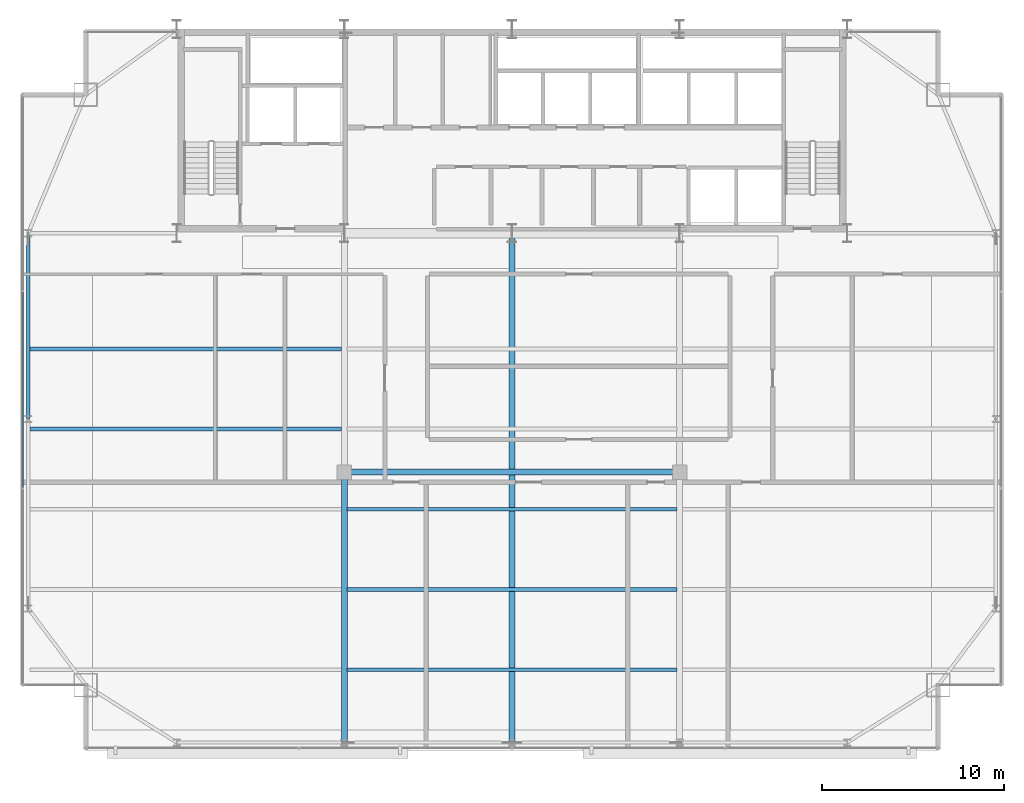
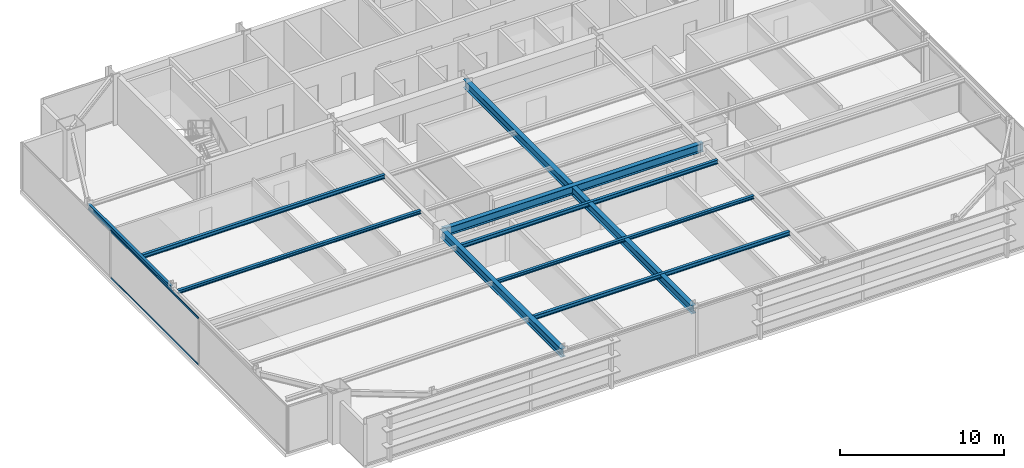
# One storey, part 10 of 29: 9 beams, 2 members, 1 element without a shape of its own.
"""IFC4 building model written with IfcOpenShell, lengths in metres."""

from ifc_helpers import new_model, si_unit, direction, frame, origin, origin_2d, place, context, subcontext, project, spatial, hollow_rectangle, i_section, extrude, source, transform, mapped, material, layer, layer_set, material_profile, profile_set, type_object, type_shapes, element, aggregate, save


model = new_model("IFC4")

# Units and contexts
model_context = context("Model", 3, precision=1e-05, world=origin(), true_north=direction((0.0, 1.0)))
body_context = subcontext(model_context, "Body", "Model", "MODEL_VIEW")
ifc_project = project(units=[si_unit("LENGTHUNIT", "METRE"), si_unit("AREAUNIT", "SQUARE_METRE"), si_unit("VOLUMEUNIT", "CUBIC_METRE"), si_unit("PLANEANGLEUNIT", "RADIAN"), si_unit("MASSUNIT", "GRAM", prefix="KILO")], contexts=[model_context])

# Site, building, storey
site_placement = place(None, origin())
site = spatial("IfcSite", under=ifc_project, at=site_placement, CompositionType="ELEMENT")
building_placement = place(site_placement, origin())
building = spatial("IfcBuilding", under=site, at=building_placement, Name="Varnel Quay Broadcast Tower", CompositionType="ELEMENT")
storey_placement = place(building_placement, frame((0.0, 0.0, 187.60009765625)))
storey = spatial("IfcBuildingStorey", under=building, at=storey_placement, Name="L46", CompositionType="ELEMENT", Elevation=187.60009765625)

# Beams
ifc_material_1 = material(Name="Structural Steel CSA G40.21 350W", Category="steel")
ifc_material_profile_1 = material_profile(ifc_material_1, i_section(OverallWidth=0.180908203125, OverallDepth=0.4169921875, WebThickness=0.010986328125, FlangeThickness=0.018310546875, FilletRadius=0.011962890625, at=origin_2d()), Name="W410X85")
ifc_profile_set_1 = profile_set([ifc_material_profile_1], Name="Structural Steel CSA G40.21 350W")
beam_type_1 = type_object("IfcBeamType", Name="Beam_W410X85", PredefinedType="SPANDREL", material=ifc_profile_set_1)
shared_shape_1 = source(origin(), body_context, "Body", "SweptSolid", [
    extrude(i_section(OverallWidth=0.180908203125, OverallDepth=0.4169921875, WebThickness=0.010986328125, FlangeThickness=0.018310546875, FilletRadius=0.011962890625, at=origin_2d()), origin(), (0.0, 0.0, 1.0), 10.16015625),
])
type_shapes(beam_type_1, [shared_shape_1])
beam_1_placement = place(storey_placement, frame((7.449951171875, 25.419921875, 3.3115234375), z_axis=(0.0, 1.0, 0.0), x_axis=(-1.0, 0.0, 0.0)))
element("IfcBeam", 1, at=beam_1_placement, inside=storey, type_object=beam_type_1, Name="L46 West Spandrel TC-W2-TC-W3", PredefinedType="SPANDREL", context=body_context, shape_type="MappedRepresentation", body=[
    mapped(shared_shape_1, transform((0.0, 0.0, 0.0), x_axis=(1.0, 0.0, 0.0), y_axis=(0.0, 1.0, 0.0), z_axis=(0.0, 0.0, 1.0), scale=1.0)),
])
ifc_material_profile_2 = material_profile(ifc_material_1, i_section(OverallWidth=0.324951171875, OverallDepth=0.615966796875, WebThickness=0.013916015625, FlangeThickness=0.021484375, FilletRadius=0.01611328125, at=origin_2d()), Name="W610X174")
ifc_profile_set_2 = profile_set([ifc_material_profile_2], Name="Structural Steel CSA G40.21 350W")
beam_type_2 = type_object("IfcBeamType", Name="Girder_W610X174", PredefinedType="BEAM", material=ifc_profile_set_2)
shared_shape_2 = source(origin(), body_context, "Body", "SweptSolid", [
    extrude(i_section(OverallWidth=0.324951171875, OverallDepth=0.615966796875, WebThickness=0.013916015625, FlangeThickness=0.021484375, FilletRadius=0.01611328125, at=origin_2d()), origin(), (0.0, 0.0, 1.0), 14.800048828125),
])
beam_2_placement = place(storey_placement, frame((24.800048828125, 7.669921875, 3.2119140625), z_axis=(0.0, 1.0, 0.0), x_axis=(-1.0, 0.0, 0.0)))
element("IfcBeam", 2, at=beam_2_placement, inside=storey, type_object=beam_type_2, Name="L46 Primary Girder TC-S2-IC-01", PredefinedType="BEAM", context=body_context, shape_type="MappedRepresentation", body=[
    mapped(shared_shape_2, transform((0.0, 0.0, 0.0), x_axis=(1.0, 0.0, 0.0), y_axis=(0.0, 1.0, 0.0), z_axis=(0.0, 0.0, 1.0), scale=1.0)),
])
shared_shape_3 = source(origin(), body_context, "Body", "SweptSolid", [
    extrude(i_section(OverallWidth=0.324951171875, OverallDepth=0.615966796875, WebThickness=0.013916015625, FlangeThickness=0.021484375, FilletRadius=0.01611328125, at=origin_2d()), origin(), (0.0, 0.0, 1.0), 18.35986328125),
])
beam_3_placement = place(storey_placement, frame((24.820068359375, 22.489990234375, 3.2119140625), z_axis=(1.0, 0.0, 0.0), x_axis=(0.0, 1.0, 0.0)))
element("IfcBeam", 3, at=beam_3_placement, inside=storey, type_object=beam_type_2, Name="L46 Interior Spine Girder", PredefinedType="BEAM", context=body_context, shape_type="MappedRepresentation", body=[
    mapped(shared_shape_3, transform((0.0, 0.0, 0.0), x_axis=(1.0, 0.0, 0.0), y_axis=(0.0, 1.0, 0.0), z_axis=(0.0, 0.0, 1.0), scale=1.0)),
])
shared_shape_4 = source(origin(), body_context, "Body", "SweptSolid", [
    extrude(i_section(OverallWidth=0.324951171875, OverallDepth=0.615966796875, WebThickness=0.013916015625, FlangeThickness=0.021484375, FilletRadius=0.01611328125, at=origin_2d()), origin(), (0.0, 0.0, 1.0), 27.91015625),
])
type_shapes(beam_type_2, [shared_shape_2, shared_shape_3, shared_shape_4])
beam_4_placement = place(storey_placement, frame((34.0, 7.669921875, 3.2119140625), z_axis=(0.0, 1.0, 0.0), x_axis=(-1.0, 0.0, 0.0)))
element("IfcBeam", 4, at=beam_4_placement, inside=storey, type_object=beam_type_2, Name="L46 Central Bay Girder", PredefinedType="BEAM", context=body_context, shape_type="MappedRepresentation", body=[
    mapped(shared_shape_4, transform((0.0, 0.0, 0.0), x_axis=(1.0, 0.0, 0.0), y_axis=(0.0, 1.0, 0.0), z_axis=(0.0, 0.0, 1.0), scale=1.0)),
])
ifc_material_profile_3 = material_profile(ifc_material_1, i_section(OverallWidth=0.202880859375, OverallDepth=0.302978515625, WebThickness=0.007568359375, FlangeThickness=0.01318359375, FilletRadius=0.011962890625, at=origin_2d()), Name="W310X60")
ifc_profile_set_3 = profile_set([ifc_material_profile_3], Name="Structural Steel CSA G40.21 350W")
beam_type_3 = type_object("IfcBeamType", Name="Beam_W310X60", PredefinedType="JOIST", material=ifc_profile_set_3)
shared_shape_5 = source(origin(), body_context, "Body", "SweptSolid", [
    extrude(i_section(OverallWidth=0.202880859375, OverallDepth=0.302978515625, WebThickness=0.007568359375, FlangeThickness=0.01318359375, FilletRadius=0.011962890625, at=origin_2d()), origin(), (0.0, 0.0, 1.0), 17.107177734375),
])
beam_5_placement = place(storey_placement, frame((7.535400390625, 29.25, 3.368408203125), z_axis=(1.0, 0.0, 0.0), x_axis=(0.0, 1.0, 0.0)))
element("IfcBeam", 5, at=beam_5_placement, inside=storey, type_object=beam_type_3, Name="L46 West Floor Joist 5", PredefinedType="JOIST", context=body_context, shape_type="MappedRepresentation", body=[
    mapped(shared_shape_5, transform((0.0, 0.0, 0.0), x_axis=(1.0, 0.0, 0.0), y_axis=(0.0, 1.0, 0.0), z_axis=(0.0, 0.0, 1.0), scale=1.0)),
])
shared_shape_6 = source(origin(), body_context, "Body", "SweptSolid", [
    extrude(i_section(OverallWidth=0.202880859375, OverallDepth=0.302978515625, WebThickness=0.007568359375, FlangeThickness=0.01318359375, FilletRadius=0.011962890625, at=origin_2d()), origin(), (0.0, 0.0, 1.0), 18.0849609375),
])
type_shapes(beam_type_3, [shared_shape_5, shared_shape_6])
for number, where, z_axis, x_axis, name in (
    (6, (24.95751953125, 11.64990234375, 3.368408203125), (1.0, 0.0, 0.0), (0.0, 1.0, 0.0), "L46 Central Floor Joist 1"),
    (7, (24.95751953125, 20.449951171875, 3.368408203125), (1.0, 0.0, 0.0), (0.0, 1.0, 0.0), "L46 Central Floor Joist 3"),
):
    element("IfcBeam", number, at=place(storey_placement, frame(where, z_axis=z_axis, x_axis=x_axis)), inside=storey, type_object=beam_type_3, Name=name, PredefinedType="JOIST", context=body_context, shape_type="MappedRepresentation", body=[
        mapped(shared_shape_6, transform((0.0, 0.0, 0.0), x_axis=(1.0, 0.0, 0.0), y_axis=(0.0, 1.0, 0.0), z_axis=(0.0, 0.0, 1.0), scale=1.0)),
    ])
ifc_material_profile_4 = material_profile(ifc_material_1, i_section(OverallWidth=0.201904296875, OverallDepth=0.2470703125, WebThickness=0.00732421875, FlangeThickness=0.010986328125, FilletRadius=0.010986328125, at=origin_2d()), Name="W250X49")
ifc_profile_set_4 = profile_set([ifc_material_profile_4], Name="Structural Steel CSA G40.21 350W")
beam_type_4 = type_object("IfcBeamType", Name="Beam_W250X49", PredefinedType="JOIST", material=ifc_profile_set_4)
shared_shape_7 = source(origin(), body_context, "Body", "SweptSolid", [
    extrude(i_section(OverallWidth=0.201904296875, OverallDepth=0.2470703125, WebThickness=0.00732421875, FlangeThickness=0.010986328125, FilletRadius=0.010986328125, at=origin_2d()), origin(), (0.0, 0.0, 1.0), 17.107177734375),
])
beam_6_placement = place(storey_placement, frame((7.535400390625, 24.85009765625, 3.396484375), z_axis=(1.0, 0.0, 0.0), x_axis=(0.0, 1.0, 0.0)))
element("IfcBeam", 8, at=beam_6_placement, inside=storey, type_object=beam_type_4, Name="L46 West Floor Joist 4", PredefinedType="JOIST", context=body_context, shape_type="MappedRepresentation", body=[
    mapped(shared_shape_7, transform((0.0, 0.0, 0.0), x_axis=(1.0, 0.0, 0.0), y_axis=(0.0, 1.0, 0.0), z_axis=(0.0, 0.0, 1.0), scale=1.0)),
])
shared_shape_8 = source(origin(), body_context, "Body", "SweptSolid", [
    extrude(i_section(OverallWidth=0.201904296875, OverallDepth=0.2470703125, WebThickness=0.00732421875, FlangeThickness=0.010986328125, FilletRadius=0.010986328125, at=origin_2d()), origin(), (0.0, 0.0, 1.0), 18.0849609375),
])
type_shapes(beam_type_4, [shared_shape_7, shared_shape_8])
beam_7_placement = place(storey_placement, frame((24.95751953125, 16.050048828125, 3.396484375), z_axis=(1.0, 0.0, 0.0), x_axis=(0.0, 1.0, 0.0)))
element("IfcBeam", 9, at=beam_7_placement, inside=storey, type_object=beam_type_4, Name="L46 Central Floor Joist 2", PredefinedType="JOIST", context=body_context, shape_type="MappedRepresentation", body=[
    mapped(shared_shape_8, transform((0.0, 0.0, 0.0), x_axis=(1.0, 0.0, 0.0), y_axis=(0.0, 1.0, 0.0), z_axis=(0.0, 0.0, 1.0), scale=1.0)),
])

# Curtain wall, members
ifc_material_2 = material(Name="Anodised Bronze Aluminium 6063-T6", Category="aluminium")
ifc_layer = layer(ifc_material_2, 0.18994140625, Name="Anodised Bronze Aluminium 6063-T6")
ifc_layer_set = layer_set([ifc_layer], Name="Anodised Bronze Aluminium 6063-T6")
curtain_wall_type = type_object("IfcCurtainWallType", Name="CW_UpperTower", PredefinedType="NOTDEFINED", material=ifc_layer_set)
curtain_wall_placement = place(storey_placement, origin())
curtain_wall = element("IfcCurtainWall", 10, at=curtain_wall_placement, inside=storey, type_object=curtain_wall_type, Name="L46 West Unitised Curtain Wall", PredefinedType="NOTDEFINED")
ifc_material_profile_5 = material_profile(ifc_material_2, hollow_rectangle(XDim=0.06005859375, YDim=0.125, WallThickness=0.0029296875, at=origin_2d()), Name="ALU60X125X3")
ifc_profile_set_5 = profile_set([ifc_material_profile_5], Name="Anodised Bronze Aluminium 6063-T6")
member_type = type_object("IfcMemberType", Name="Tran_CWS-03", PredefinedType="USERDEFINED", material=ifc_profile_set_5)
shared_shape_9 = source(origin(), body_context, "Body", "SweptSolid", [
    extrude(hollow_rectangle(XDim=0.06005859375, YDim=0.125, WallThickness=0.0029296875, at=origin_2d()), origin(), (0.0, 0.0, 1.0), 10.73486328125),
])
type_shapes(member_type, [shared_shape_9])
member_1_placement = place(storey_placement, frame((7.14990234375, 21.632568359375, 0.02978515625), z_axis=(0.0, 1.0, 0.0), x_axis=(-1.0, 0.0, 0.0)))
member_1 = element("IfcMember", 11, at=member_1_placement, type_object=member_type, Name="CWS-03 transom 2.1", ObjectType="TRANSOM", PredefinedType="USERDEFINED", context=body_context, shape_type="MappedRepresentation", body=[
    mapped(shared_shape_9, transform((0.0, 0.0, 0.0), x_axis=(1.0, 0.0, 0.0), y_axis=(0.0, 1.0, 0.0), z_axis=(0.0, 0.0, 1.0), scale=1.0)),
])
member_2_placement = place(storey_placement, frame((7.14990234375, 21.632568359375, 3.489990234375), z_axis=(0.0, 1.0, 0.0), x_axis=(-1.0, 0.0, 0.0)))
member_2 = element("IfcMember", 12, at=member_2_placement, type_object=member_type, Name="CWS-03 transom 2.2", ObjectType="TRANSOM", PredefinedType="USERDEFINED", context=body_context, shape_type="MappedRepresentation", body=[
    mapped(shared_shape_9, transform((0.0, 0.0, 0.0), x_axis=(1.0, 0.0, 0.0), y_axis=(0.0, 1.0, 0.0), z_axis=(0.0, 0.0, 1.0), scale=1.0)),
])
aggregate(curtain_wall, [member_1, member_2])

save(model, "model.ifc")
